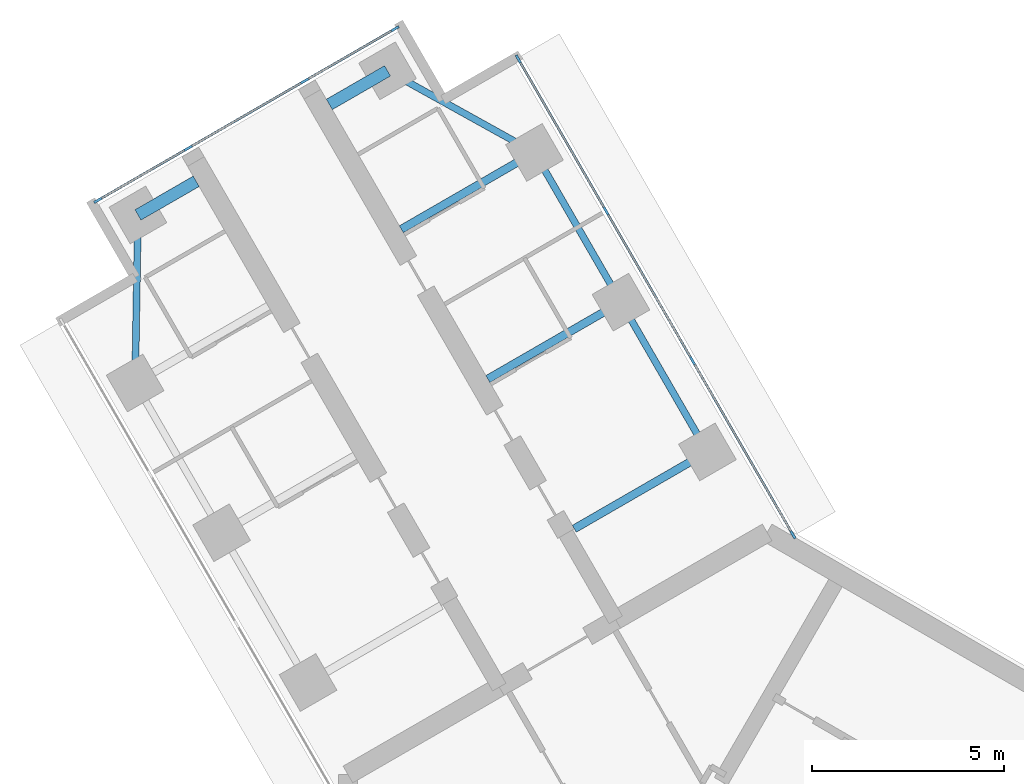
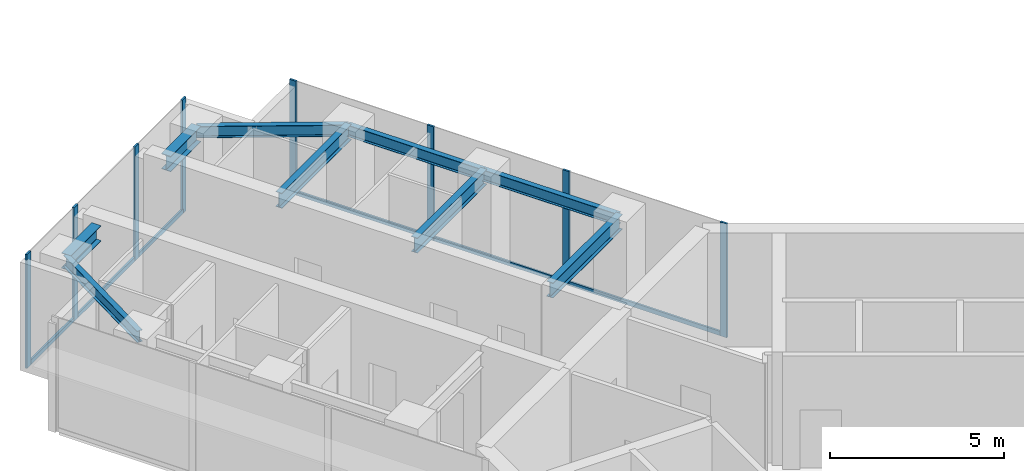
# One storey, part 6 of 18: 14 members, 9 beams, 2 elements without a shape of their own.
"""IFC4 building model written with IfcOpenShell, lengths in metres."""

from ifc_helpers import new_model, si_unit, direction, frame, origin, origin_2d, place, context, subcontext, project, spatial, rectangle, i_section, extrude, material, material_profile, profile_set, type_object, element, aggregate, save


model = new_model("IFC4")

# Units and contexts
model_context = context("Model", 3, precision=1e-05, world=origin(), true_north=direction((0.0, 1.0)))
body_context = subcontext(model_context, "Body", "Model", "MODEL_VIEW")
ifc_project = project(units=[si_unit("LENGTHUNIT", "METRE"), si_unit("AREAUNIT", "SQUARE_METRE"), si_unit("VOLUMEUNIT", "CUBIC_METRE"), si_unit("PLANEANGLEUNIT", "RADIAN"), si_unit("MASSUNIT", "GRAM", prefix="KILO")], contexts=[model_context])

# Site, building, storey
site_placement = place(None, origin())
site = spatial("IfcSite", under=ifc_project, at=site_placement, CompositionType="ELEMENT")
building_placement = place(site_placement, origin())
building = spatial("IfcBuilding", under=site, at=building_placement, Name="Upepo Twin Towers", CompositionType="ELEMENT")
storey_placement = place(building_placement, frame((0.0, 0.0, 218.5)))
storey = spatial("IfcBuildingStorey", under=building, at=storey_placement, Name="L53", CompositionType="ELEMENT", Elevation=218.5)

# Beams
ifc_material_1 = material(Name="Steel S355", Category="steel")
ifc_material_profile_1 = material_profile(ifc_material_1, i_section(OverallWidth=0.177978515625, OverallDepth=0.406494140625, WebThickness=0.0078125, FlangeThickness=0.0126953125, FilletRadius=0.01025390625, at=origin_2d()), Name="UB 406x178x60")
ifc_profile_set_1 = profile_set([ifc_material_profile_1], Name="Steel S355")
beam_type_1 = type_object("IfcBeamType", Name="Beam UB 406x178x60", PredefinedType="BEAM", material=ifc_profile_set_1)
beam_1_placement = place(storey_placement, frame((-16.446044921875, 16.485595703125, 3.5966796875), z_axis=(0.016803880528, 0.999858804832, 0.0), x_axis=(-0.999858804832, 0.016803880528, 0.0)))
element("IfcBeam", 1, at=beam_1_placement, inside=storey, type_object=beam_type_1, Name="T1 nose edge beam BL", PredefinedType="BEAM", context=body_context, shape_type="SweptSolid", body=[
    extrude(i_section(OverallWidth=0.177978515625, OverallDepth=0.406494140625, WebThickness=0.0078125, FlangeThickness=0.0126953125, FilletRadius=0.01025390625, at=origin_2d()), origin(), (0.0, 0.0, 1.0), 4.373291015625),
])
beam_2_placement = place(storey_placement, frame((-1.553955078125, 14.69140625, 3.5966796875), z_axis=(-0.500013631625, 0.866017533419, 0.0), x_axis=(-0.866017533419, -0.500013631625, 0.0)))
element("IfcBeam", 2, at=beam_2_placement, inside=storey, type_object=beam_type_1, Name="T1 edge beam BR 13.5-18.0", PredefinedType="BEAM", context=body_context, shape_type="SweptSolid", body=[
    extrude(i_section(OverallWidth=0.177978515625, OverallDepth=0.406494140625, WebThickness=0.0078125, FlangeThickness=0.0126953125, FilletRadius=0.01025390625, at=origin_2d()), origin(), (0.0, 0.0, 1.0), 4.499755859375),
])
beam_3_placement = place(storey_placement, frame((-3.803955078125, 18.58837890625, 3.5966796875), z_axis=(-0.499990139034, 0.866031096941, 0.0), x_axis=(-0.866031096941, -0.499990139034, 0.0)))
element("IfcBeam", 3, at=beam_3_placement, inside=storey, type_object=beam_type_1, Name="T1 edge beam BR 18.0-22.5", PredefinedType="BEAM", context=body_context, shape_type="SweptSolid", body=[
    extrude(i_section(OverallWidth=0.177978515625, OverallDepth=0.406494140625, WebThickness=0.0078125, FlangeThickness=0.0126953125, FilletRadius=0.01025390625, at=origin_2d()), origin(), (0.0, 0.0, 1.0), 4.5),
])
beam_4_placement = place(storey_placement, frame((-6.053955078125, 22.485595703125, 3.5966796875), z_axis=(-0.874312600038, 0.485363242752, 0.0), x_axis=(-0.485363242752, -0.874312600038, 0.0)))
element("IfcBeam", 4, at=beam_4_placement, inside=storey, type_object=beam_type_1, Name="T1 nose edge beam BR", PredefinedType="BEAM", context=body_context, shape_type="SweptSolid", body=[
    extrude(i_section(OverallWidth=0.177978515625, OverallDepth=0.406494140625, WebThickness=0.0078125, FlangeThickness=0.0126953125, FilletRadius=0.01025390625, at=origin_2d()), origin(), (0.0, 0.0, 1.0), 4.373046875),
])
ifc_material_2 = material(Name="Steel S355", Category="steel")
ifc_material_profile_2 = material_profile(ifc_material_2, i_section(OverallWidth=0.209228515625, OverallDepth=0.533203125, WebThickness=0.010009765625, FlangeThickness=0.015625, FilletRadius=0.0126953125, at=origin_2d()), Name="UB 533x210x92")
ifc_profile_set_2 = profile_set([ifc_material_profile_2], Name="Steel S355")
beam_type_2 = type_object("IfcBeamType", Name="Beam UB 533x210x92", PredefinedType="BEAM", material=ifc_profile_set_2)
for number, where, z_axis, x_axis, name in (
    (5, (-1.553955078125, 14.69140625, 3.533447265625), (-0.866026010844, -0.49999894854, 0.0), (0.49999894854, -0.866026010844, 0.0), "T1 girder BR at 13.5"),
    (6, (-3.803955078125, 18.58837890625, 3.533447265625), (-0.866026010844, -0.49999894854, 0.0), (0.49999894854, -0.866026010844, 0.0), "T1 girder BR at 18.0"),
    (7, (-6.053955078125, 22.485595703125, 3.533447265625), (-0.866026010844, -0.49999894854, 0.0), (0.49999894854, -0.866026010844, 0.0), "T1 girder BR at 22.5"),
):
    element("IfcBeam", number, at=place(storey_placement, frame(where, z_axis=z_axis, x_axis=x_axis)), inside=storey, type_object=beam_type_2, Name=name, PredefinedType="BEAM", context=body_context, shape_type="SweptSolid", body=[
        extrude(i_section(OverallWidth=0.209228515625, OverallDepth=0.533203125, WebThickness=0.010009765625, FlangeThickness=0.015625, FilletRadius=0.0126953125, at=origin_2d()), origin(), (0.0, 0.0, 1.0), 4.0),
    ])
ifc_material_3 = material(Name="Steel S355", Category="steel")
ifc_material_profile_3 = material_profile(ifc_material_3, i_section(OverallWidth=0.31201171875, OverallDepth=0.54345703125, WebThickness=0.0126953125, FlangeThickness=0.020263671875, FilletRadius=0.0126953125, at=origin_2d()), Name="UB 533x312x150")
ifc_profile_set_3 = profile_set([ifc_material_profile_3], Name="Steel S355")
beam_type_3 = type_object("IfcBeamType", Name="Beam UB 533x312x150", PredefinedType="BEAM", material=ifc_profile_set_3)
for number, where, z_axis, x_axis, name in (
    (8, (-16.37255859375, 20.858154296875, 3.5283203125), (0.866036909293, 0.499980071345, 0.0), (-0.499980071345, 0.866036909293, 0.0), "T1 nose beam BL"),
    (9, (-9.87744140625, 24.608154296875, 3.5283203125), (-0.866036909293, -0.499980071345, 0.0), (0.499980071345, -0.866036909293, 0.0), "T1 nose beam BR"),
):
    element("IfcBeam", number, at=place(storey_placement, frame(where, z_axis=z_axis, x_axis=x_axis)), inside=storey, type_object=beam_type_3, Name=name, PredefinedType="BEAM", context=body_context, shape_type="SweptSolid", body=[
        extrude(i_section(OverallWidth=0.31201171875, OverallDepth=0.54345703125, WebThickness=0.0126953125, FlangeThickness=0.020263671875, FilletRadius=0.0126953125, at=origin_2d()), origin(), (0.0, 0.0, 1.0), 1.75),
    ])

# Curtain wall, members
ifc_material_4 = material(Name="Aluminium and fritted glass", Category="aluminium")
curtain_wall_type = type_object("IfcCurtainWallType", Name="Tower curtain wall TW3, fritted glass", PredefinedType="NOTDEFINED", material=ifc_material_4)
curtain_wall_1_placement = place(storey_placement, origin())
curtain_wall_1 = element("IfcCurtainWall", 10, at=curtain_wall_1_placement, inside=storey, type_object=curtain_wall_type, Name="T1 L53 wing B flank R curtain wall", PredefinedType="NOTDEFINED")
ifc_material_5 = material(Name="Aluminium mullion", Category="aluminium")
ifc_material_profile_4 = material_profile(ifc_material_5, rectangle(XDim=0.06494140625, YDim=0.22509765625, at=origin_2d()), Name="MULLION 65x225")
ifc_profile_set_4 = profile_set([ifc_material_profile_4], Name="Aluminium mullion")
member_type_1 = type_object("IfcMemberType", Name="Mullion 65x225 TW3", PredefinedType="MULLION", material=ifc_profile_set_4)
member_1_placement = place(storey_placement, frame((-6.4765625, 24.91748046875, 0.0), z_axis=(0.0, 0.0, 1.0), x_axis=(0.866025388469, 0.500000026527, 0.0)))
member_1 = element("IfcMember", 11, at=member_1_placement, type_object=member_type_1, Name="T1 L53 wing B flank R curtain wall mullion 1", PredefinedType="MULLION", context=body_context, shape_type="SweptSolid", body=[
    extrude(rectangle(XDim=0.06494140625, YDim=0.22509765625, at=origin_2d()), origin(), (0.0, 0.0, 1.0), 4.0),
])
member_2_placement = place(storey_placement, frame((-4.192626953125, 20.9619140625, 0.0), z_axis=(0.0, 0.0, 1.0), x_axis=(0.866025388469, 0.500000026527, 0.0)))
member_2 = element("IfcMember", 12, at=member_2_placement, type_object=member_type_1, Name="T1 L53 wing B flank R curtain wall mullion 2", PredefinedType="MULLION", context=body_context, shape_type="SweptSolid", body=[
    extrude(rectangle(XDim=0.06494140625, YDim=0.22509765625, at=origin_2d()), origin(), (0.0, 0.0, 1.0), 4.0),
])
member_3_placement = place(storey_placement, frame((-1.942626953125, 17.06494140625, 0.0), z_axis=(0.0, 0.0, 1.0), x_axis=(0.866025388469, 0.500000026527, 0.0)))
member_3 = element("IfcMember", 13, at=member_3_placement, type_object=member_type_1, Name="T1 L53 wing B flank R curtain wall mullion 3", PredefinedType="MULLION", context=body_context, shape_type="SweptSolid", body=[
    extrude(rectangle(XDim=0.06494140625, YDim=0.22509765625, at=origin_2d()), origin(), (0.0, 0.0, 1.0), 4.0),
])
member_4_placement = place(storey_placement, frame((0.67236328125, 12.53515625, 0.0), z_axis=(0.0, 0.0, 1.0), x_axis=(0.866025388469, 0.500000026527, 0.0)))
member_4 = element("IfcMember", 14, at=member_4_placement, type_object=member_type_1, Name="T1 L53 wing B flank R curtain wall mullion 4", PredefinedType="MULLION", context=body_context, shape_type="SweptSolid", body=[
    extrude(rectangle(XDim=0.06494140625, YDim=0.22509765625, at=origin_2d()), origin(), (0.0, 0.0, 1.0), 4.0),
])

curtain_wall_2_placement = place(storey_placement, origin())
curtain_wall_2 = element("IfcCurtainWall", 15, at=curtain_wall_2_placement, inside=storey, type_object=curtain_wall_type, Name="T1 L53 wing B nose curtain wall", PredefinedType="NOTDEFINED")
member_5_placement = place(storey_placement, frame((-9.68115234375, 25.703125, 0.0), z_axis=(0.0, 0.0, 1.0), x_axis=(0.500000030502, -0.866025386174, 0.0)))
member_5 = element("IfcMember", 16, at=member_5_placement, type_object=member_type_1, Name="T1 L53 wing B nose curtain wall mullion 1", PredefinedType="MULLION", context=body_context, shape_type="SweptSolid", body=[
    extrude(rectangle(XDim=0.06494140625, YDim=0.22509765625, at=origin_2d()), origin(), (0.0, 0.0, 1.0), 4.0),
])
member_6_placement = place(storey_placement, frame((-12.034423828125, 24.34423828125, 0.0), z_axis=(0.0, 0.0, 1.0), x_axis=(0.500000030502, -0.866025386174, 0.0)))
member_6 = element("IfcMember", 17, at=member_6_placement, type_object=member_type_1, Name="T1 L53 wing B nose curtain wall mullion 2", PredefinedType="MULLION", context=body_context, shape_type="SweptSolid", body=[
    extrude(rectangle(XDim=0.06494140625, YDim=0.22509765625, at=origin_2d()), origin(), (0.0, 0.0, 1.0), 4.0),
])
member_7_placement = place(storey_placement, frame((-15.0654296875, 22.59423828125, 0.0), z_axis=(0.0, 0.0, 1.0), x_axis=(0.500000030502, -0.866025386174, 0.0)))
member_7 = element("IfcMember", 18, at=member_7_placement, type_object=member_type_1, Name="T1 L53 wing B nose curtain wall mullion 3", PredefinedType="MULLION", context=body_context, shape_type="SweptSolid", body=[
    extrude(rectangle(XDim=0.06494140625, YDim=0.22509765625, at=origin_2d()), origin(), (0.0, 0.0, 1.0), 4.0),
])
member_8_placement = place(storey_placement, frame((-17.4189453125, 21.235595703125, 0.0), z_axis=(0.0, 0.0, 1.0), x_axis=(0.500000030502, -0.866025386174, 0.0)))
member_8 = element("IfcMember", 19, at=member_8_placement, type_object=member_type_1, Name="T1 L53 wing B nose curtain wall mullion 4", PredefinedType="MULLION", context=body_context, shape_type="SweptSolid", body=[
    extrude(rectangle(XDim=0.06494140625, YDim=0.22509765625, at=origin_2d()), origin(), (0.0, 0.0, 1.0), 4.0),
])

# Member
ifc_material_6 = material(Name="Aluminium transom", Category="aluminium")
ifc_material_profile_5 = material_profile(ifc_material_6, rectangle(XDim=0.06494140625, YDim=0.14990234375, at=origin_2d()), Name="TRANSOM 65x150")
ifc_profile_set_5 = profile_set([ifc_material_profile_5], Name="Aluminium transom")
member_type_2 = type_object("IfcMemberType", Name="Transom 65x150 TW3", PredefinedType="USERDEFINED", material=ifc_profile_set_5)
member_9_placement = place(storey_placement, frame((-6.460205078125, 24.889404296875, 0.074951171875), z_axis=(0.500005646842, -0.866022143554, 0.0), x_axis=(0.866022143554, 0.500005646842, 0.0)))
member_9 = element("IfcMember", 20, at=member_9_placement, type_object=member_type_2, Name="T1 L53 wing B flank R curtain wall transom 1", ObjectType="TRANSOM", PredefinedType="USERDEFINED", context=body_context, shape_type="SweptSolid", body=[
    extrude(rectangle(XDim=0.06494140625, YDim=0.14990234375, at=origin_2d()), origin(), (0.0, 0.0, 1.0), 4.50244140625),
])

member_10_placement = place(storey_placement, frame((-4.176513671875, 20.933837890625, 0.074951171875), z_axis=(0.500005184116, -0.866022410713, 0.0), x_axis=(0.866022410713, 0.500005184116, 0.0)))
member_10 = element("IfcMember", 21, at=member_10_placement, type_object=member_type_2, Name="T1 L53 wing B flank R curtain wall transom 2", ObjectType="TRANSOM", PredefinedType="USERDEFINED", context=body_context, shape_type="SweptSolid", body=[
    extrude(rectangle(XDim=0.06494140625, YDim=0.14990234375, at=origin_2d()), origin(), (0.0, 0.0, 1.0), 4.43505859375),
])

member_11_placement = place(storey_placement, frame((-1.926513671875, 17.036865234375, 0.074951171875), z_axis=(0.500007480159, -0.86602108507, 0.0), x_axis=(0.86602108507, 0.500007480159, 0.0)))
member_11 = element("IfcMember", 22, at=member_11_placement, type_object=member_type_2, Name="T1 L53 wing B flank R curtain wall transom 3", ObjectType="TRANSOM", PredefinedType="USERDEFINED", context=body_context, shape_type="SweptSolid", body=[
    extrude(rectangle(XDim=0.06494140625, YDim=0.14990234375, at=origin_2d()), origin(), (0.0, 0.0, 1.0), 5.16552734375),
])

aggregate(curtain_wall_1, [member_1, member_2, member_3, member_4, member_9, member_10, member_11])

member_12_placement = place(storey_placement, frame((-9.709228515625, 25.686767578125, 0.074951171875), z_axis=(-0.866036909293, -0.499980071345, 0.0), x_axis=(0.499980071345, -0.866036909293, 0.0)))
member_12 = element("IfcMember", 23, at=member_12_placement, type_object=member_type_2, Name="T1 L53 wing B nose curtain wall transom 1", ObjectType="TRANSOM", PredefinedType="USERDEFINED", context=body_context, shape_type="SweptSolid", body=[
    extrude(rectangle(XDim=0.06494140625, YDim=0.14990234375, at=origin_2d()), origin(), (0.0, 0.0, 1.0), 2.65234375),
])

member_13_placement = place(storey_placement, frame((-12.0625, 24.328125, 0.074951171875), z_axis=(-0.866025804792, -0.499999305434, 0.0), x_axis=(0.499999305434, -0.866025804792, 0.0)))
member_13 = element("IfcMember", 24, at=member_13_placement, type_object=member_type_2, Name="T1 L53 wing B nose curtain wall transom 2", ObjectType="TRANSOM", PredefinedType="USERDEFINED", context=body_context, shape_type="SweptSolid", body=[
    extrude(rectangle(XDim=0.06494140625, YDim=0.14990234375, at=origin_2d()), origin(), (0.0, 0.0, 1.0), 3.43505859375),
])

member_14_placement = place(storey_placement, frame((-15.09375, 22.578125, 0.074951171875), z_axis=(-0.865997053448, -0.500049101008, 0.0), x_axis=(0.500049101008, -0.865997053448, 0.0)))
member_14 = element("IfcMember", 25, at=member_14_placement, type_object=member_type_2, Name="T1 L53 wing B nose curtain wall transom 3", ObjectType="TRANSOM", PredefinedType="USERDEFINED", context=body_context, shape_type="SweptSolid", body=[
    extrude(rectangle(XDim=0.06494140625, YDim=0.14990234375, at=origin_2d()), origin(), (0.0, 0.0, 1.0), 2.652587890625),
])

aggregate(curtain_wall_2, [member_5, member_6, member_7, member_8, member_12, member_13, member_14])

save(model, "model.ifc")
